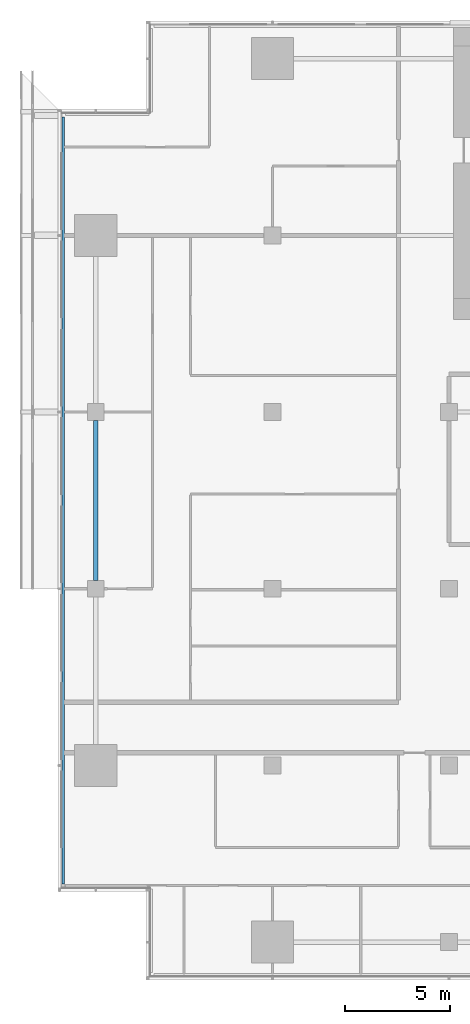
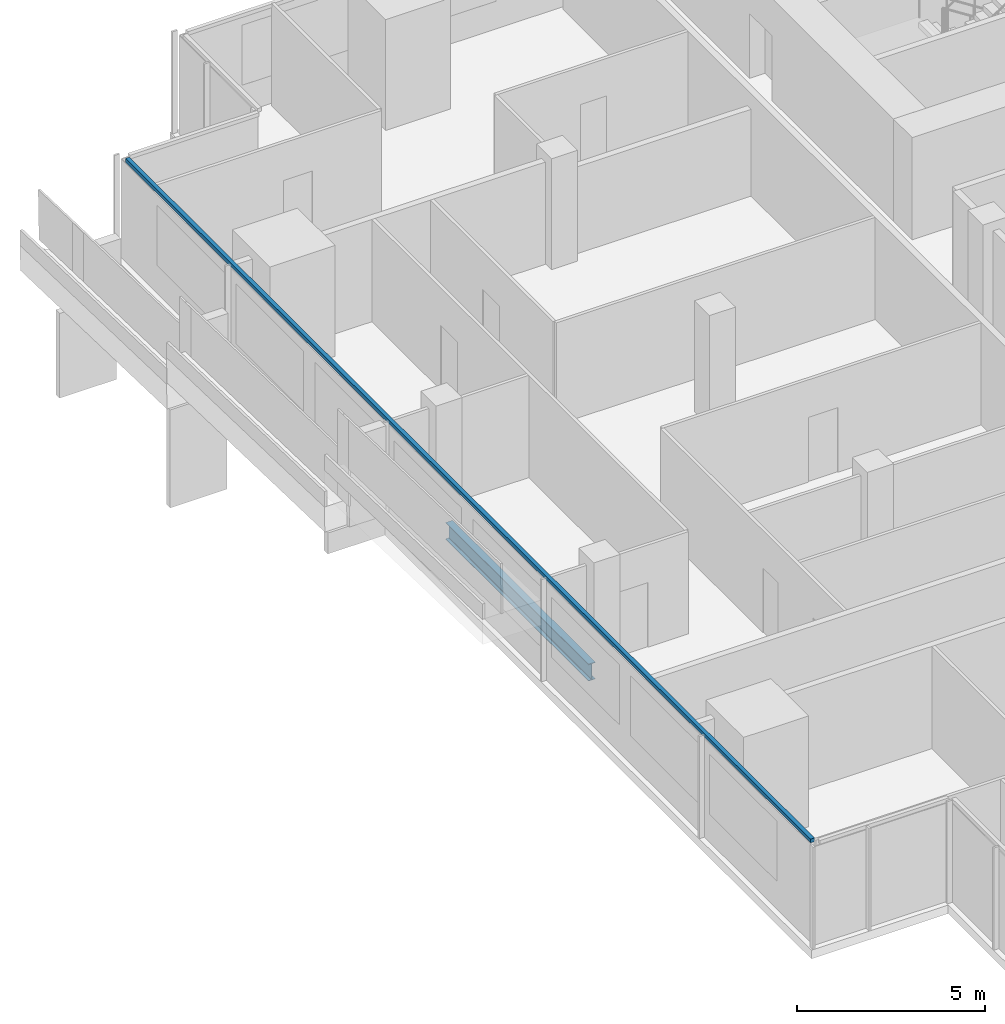
# One storey, part 3 of 25: 1 beam, 1 member, 1 element without a shape of its own.
"""IFC4 building model written with IfcOpenShell, lengths in metres."""

from ifc_helpers import new_model, si_unit, direction, frame, origin, origin_2d, place, context, subcontext, project, spatial, rectangle, i_section, extrude, material, material_profile, profile_set, type_object, element, aggregate, save


model = new_model("IFC4")

# Units and contexts
model_context = context("Model", 3, precision=1e-05, world=origin(), true_north=direction((0.0, 1.0)))
body_context = subcontext(model_context, "Body", "Model", "MODEL_VIEW")
ifc_project = project(units=[si_unit("LENGTHUNIT", "METRE"), si_unit("AREAUNIT", "SQUARE_METRE"), si_unit("VOLUMEUNIT", "CUBIC_METRE"), si_unit("PLANEANGLEUNIT", "RADIAN"), si_unit("MASSUNIT", "GRAM", prefix="KILO")], contexts=[model_context])

# Site, building, storey
site_placement = place(None, origin())
site = spatial("IfcSite", under=ifc_project, at=site_placement, CompositionType="ELEMENT")
building_placement = place(site_placement, origin())
building = spatial("IfcBuilding", under=site, at=building_placement, Name="Saffron Gate Tower", CompositionType="ELEMENT")
storey_placement = place(building_placement, frame((0.0, 0.0, 131.25)))
storey = spatial("IfcBuildingStorey", under=building, at=storey_placement, Name="L31", CompositionType="ELEMENT", Elevation=131.25)

# Beam
ifc_material_1 = material(Name="Structural steel S355", Category="steel")
ifc_material_profile_1 = material_profile(ifc_material_1, i_section(OverallWidth=0.2099609375, OverallDepth=0.550048828125, WebThickness=0.010986328125, FlangeThickness=0.01708984375, FilletRadius=0.02392578125, at=origin_2d()))
ifc_profile_set_1 = profile_set([ifc_material_profile_1], Name="Structural steel S355")
beam_type = type_object("IfcBeamType", Name="B13 IPE 550", PredefinedType="SPANDREL", material=ifc_profile_set_1)
beam_placement = place(storey_placement, frame((49.800048828125, 49.0, -0.554931640625), z_axis=(0.0, 1.0, 0.0), x_axis=(-1.0, 0.0, 0.0)))
element("IfcBeam", 1, at=beam_placement, inside=storey, type_object=beam_type, Name="B13 SPANDREL BEAM", PredefinedType="SPANDREL", context=body_context, shape_type="SweptSolid", body=[
    extrude(i_section(OverallWidth=0.2099609375, OverallDepth=0.550048828125, WebThickness=0.010986328125, FlangeThickness=0.01708984375, FilletRadius=0.02392578125, at=origin_2d()), origin(), (0.0, 0.0, 1.0), 7.60009765625),
])

# Curtain wall, member
ifc_material_2 = material(Name="Aluminium, bronze anodised", Category="aluminium")
curtain_wall_type = type_object("IfcCurtainWallType", Name="CWS2 curtain wall side facades", PredefinedType="NOTDEFINED", material=ifc_material_2)
curtain_wall_placement = place(storey_placement, origin())
curtain_wall = element("IfcCurtainWall", 2, at=curtain_wall_placement, inside=storey, type_object=curtain_wall_type, Name="CWS2 run 10", PredefinedType="NOTDEFINED")
ifc_material_profile_2 = material_profile(ifc_material_2, rectangle(XDim=0.1201171875, YDim=0.1201171875, at=origin_2d()))
ifc_profile_set_2 = profile_set([ifc_material_profile_2], Name="Aluminium, bronze anodised")
member_type = type_object("IfcMemberType", Name="CWS2 head transom", PredefinedType="USERDEFINED", material=ifc_profile_set_2)
member_placement = place(storey_placement, frame((48.248046875, 71.031982421875, 3.260009765625), z_axis=(0.0, -1.0, 0.0), x_axis=(1.0, 0.0, 0.0)))
member = element("IfcMember", 3, at=member_placement, type_object=member_type, Name="CWS2 head transom", ObjectType="TRANSOM", PredefinedType="USERDEFINED", context=body_context, shape_type="SweptSolid", body=[
    extrude(rectangle(XDim=0.1201171875, YDim=0.1201171875, at=origin_2d()), origin(), (0.0, 0.0, 1.0), 36.4638671875),
])
aggregate(curtain_wall, [member])

save(model, "model.ifc")
